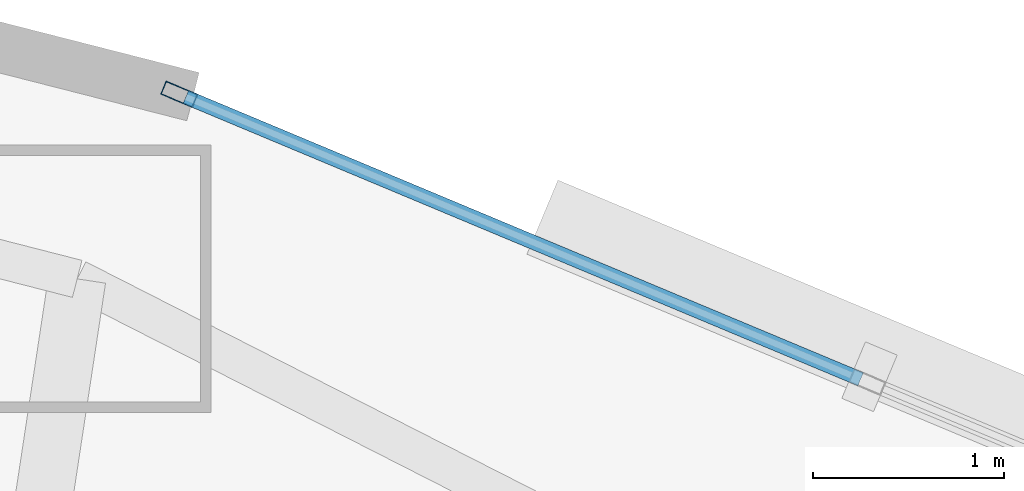
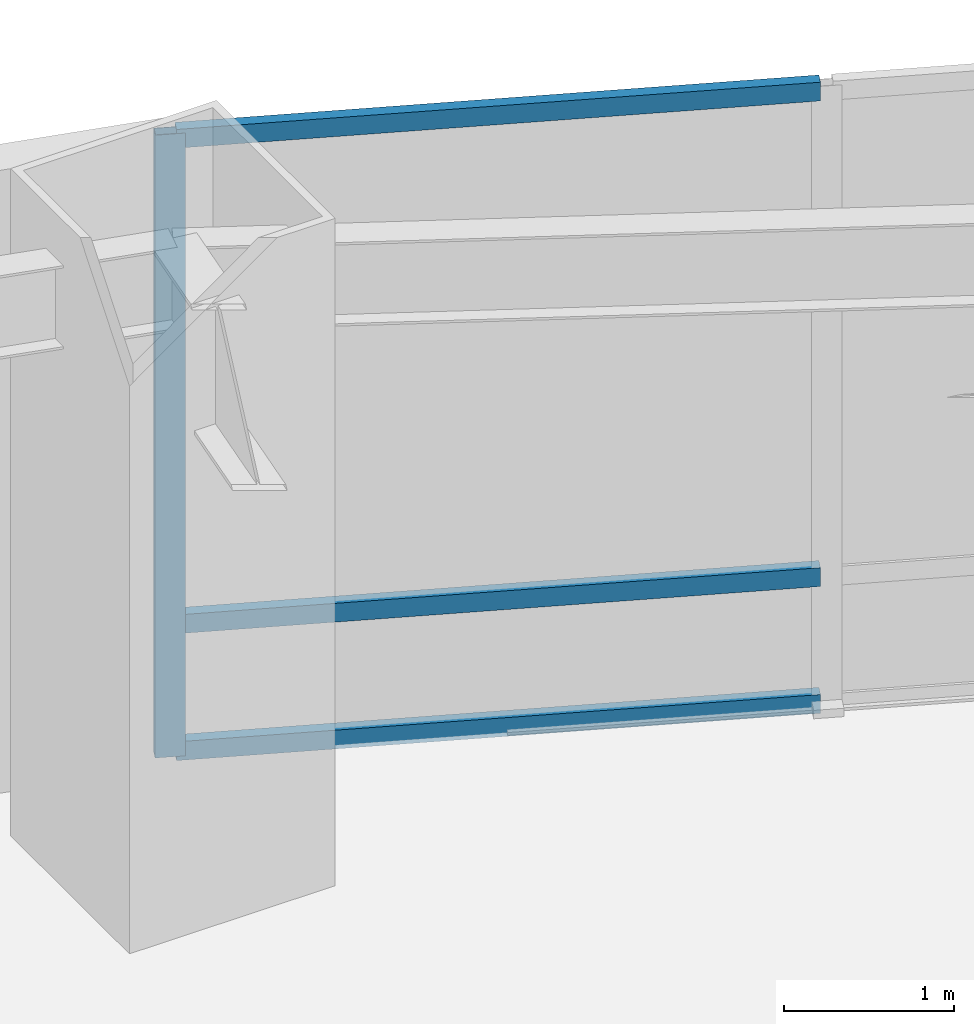
# One storey, part 12 of 18: 4 members, 1 element without a shape of its own.
"""IFC4 building model written with IfcOpenShell, lengths in metres."""

from ifc_helpers import new_model, si_unit, direction, frame, origin, origin_2d, place, context, subcontext, project, spatial, hollow_rectangle, extrude, material, layer, layer_set, material_profile, profile_set, type_object, element, aggregate, save


model = new_model("IFC4")

# Units and contexts
model_context = context("Model", 3, precision=1e-05, world=origin(), true_north=direction((0.0, 1.0)))
body_context = subcontext(model_context, "Body", "Model", "MODEL_VIEW")
ifc_project = project(units=[si_unit("LENGTHUNIT", "METRE"), si_unit("AREAUNIT", "SQUARE_METRE"), si_unit("VOLUMEUNIT", "CUBIC_METRE"), si_unit("PLANEANGLEUNIT", "RADIAN"), si_unit("MASSUNIT", "GRAM", prefix="KILO")], contexts=[model_context])

# Site, building, storey
site_placement = place(None, origin())
site = spatial("IfcSite", under=ifc_project, at=site_placement, CompositionType="ELEMENT")
building_placement = place(site_placement, origin())
building = spatial("IfcBuilding", under=site, at=building_placement, Name="Menara Vayukalpa", CompositionType="ELEMENT")
storey_placement = place(building_placement, frame((0.0, 0.0, 18.0)))
storey = spatial("IfcBuildingStorey", under=building, at=storey_placement, Name="L03", CompositionType="ELEMENT", Elevation=18.0)

# Curtain wall, members
ifc_material_1 = material(Name="Anodised Terracotta Aluminium Alloy 6063-T6", Category="masonry")
ifc_layer = layer(ifc_material_1, 0.179931640625)
ifc_layer_set = layer_set([ifc_layer], Name="Anodised Terracotta Aluminium Alloy 6063-T6")
curtain_wall_type = type_object("IfcCurtainWallType", Name="CW-CW1", PredefinedType="USERDEFINED", material=ifc_layer_set)
curtain_wall_placement = place(storey_placement, origin())
curtain_wall = element("IfcCurtainWall", 1, at=curtain_wall_placement, inside=storey, type_object=curtain_wall_type, Name="L03 Podium Unitised Ribbon Curtain Wall CW1 05", ObjectType="UNITISED", PredefinedType="USERDEFINED")
ifc_material_2 = material(Name="Anodised Terracotta Aluminium Alloy 6063-T6", Category="masonry")
ifc_material_profile_1 = material_profile(ifc_material_2, hollow_rectangle(XDim=0.074951171875, YDim=0.179931640625, WallThickness=0.00390625, at=origin_2d()), Name="ALU 75x180x4")
ifc_profile_set_1 = profile_set([ifc_material_profile_1], Name="Anodised Terracotta Aluminium Alloy 6063-T6")
member_type_1 = type_object("IfcMemberType", Name="CWM-CW1", PredefinedType="MULLION", material=ifc_profile_set_1)
member_1_placement = place(storey_placement, frame((24.00927734375, 37.16552734375, 0.0), z_axis=(0.0, 0.0, 1.0), x_axis=(-0.385890613077, -0.922544543499, 0.0)))
member_1 = element("IfcMember", 2, at=member_1_placement, type_object=member_type_1, Name="CW1 mullion 3", PredefinedType="MULLION", context=body_context, shape_type="SweptSolid", body=[
    extrude(hollow_rectangle(XDim=0.074951171875, YDim=0.179931640625, WallThickness=0.00390625, at=origin_2d()), origin(), (0.0, 0.0, 1.0), 4.47998046875),
])
ifc_material_3 = material(Name="Anodised Terracotta Aluminium Alloy 6063-T6", Category="masonry")
ifc_material_profile_2 = material_profile(ifc_material_3, hollow_rectangle(XDim=0.074951171875, YDim=0.135009765625, WallThickness=0.00390625, at=origin_2d()), Name="ALU 75x135x4")
ifc_profile_set_2 = profile_set([ifc_material_profile_2], Name="Anodised Terracotta Aluminium Alloy 6063-T6")
member_type_2 = type_object("IfcMemberType", Name="CWT-CW1", PredefinedType="USERDEFINED", material=ifc_profile_set_2)
member_2_placement = place(storey_placement, frame((27.573486328125, 35.6748046875, 0.03759765625), z_axis=(-0.922549314237, 0.385879207525, 0.0), x_axis=(-0.385879207525, -0.922549314237, 0.0)))
member_2 = element("IfcMember", 3, at=member_2_placement, type_object=member_type_2, Name="CW1 transom 2.1", ObjectType="TRANSOM", PredefinedType="USERDEFINED", context=body_context, shape_type="SweptSolid", body=[
    extrude(hollow_rectangle(XDim=0.074951171875, YDim=0.135009765625, WallThickness=0.00390625, at=origin_2d()), origin(), (0.0, 0.0, 1.0), 3.825927734375),
])
member_3_placement = place(storey_placement, frame((27.573486328125, 35.6748046875, 0.949951171875), z_axis=(-0.922549314237, 0.385879207525, 0.0), x_axis=(-0.385879207525, -0.922549314237, 0.0)))
member_3 = element("IfcMember", 4, at=member_3_placement, type_object=member_type_2, Name="CW1 transom 2.2", ObjectType="TRANSOM", PredefinedType="USERDEFINED", context=body_context, shape_type="SweptSolid", body=[
    extrude(hollow_rectangle(XDim=0.074951171875, YDim=0.135009765625, WallThickness=0.00390625, at=origin_2d()), origin(), (0.0, 0.0, 1.0), 3.825927734375),
])
member_4_placement = place(storey_placement, frame((27.573486328125, 35.6748046875, 4.4423828125), z_axis=(-0.922549314237, 0.385879207525, 0.0), x_axis=(-0.385879207525, -0.922549314237, 0.0)))
member_4 = element("IfcMember", 5, at=member_4_placement, type_object=member_type_2, Name="CW1 transom 2.3", ObjectType="TRANSOM", PredefinedType="USERDEFINED", context=body_context, shape_type="SweptSolid", body=[
    extrude(hollow_rectangle(XDim=0.074951171875, YDim=0.135009765625, WallThickness=0.00390625, at=origin_2d()), origin(), (0.0, 0.0, 1.0), 3.825927734375),
])
aggregate(curtain_wall, [member_1, member_2, member_3, member_4])

save(model, "model.ifc")
